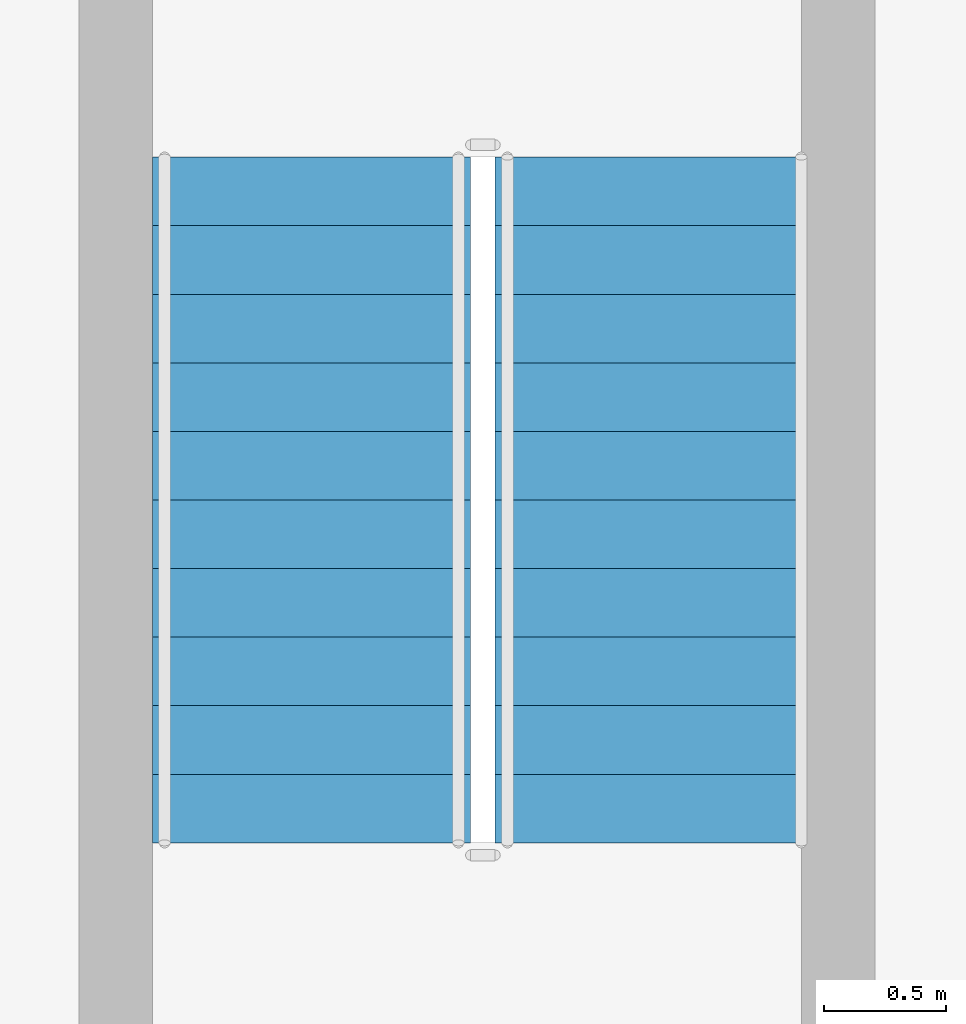
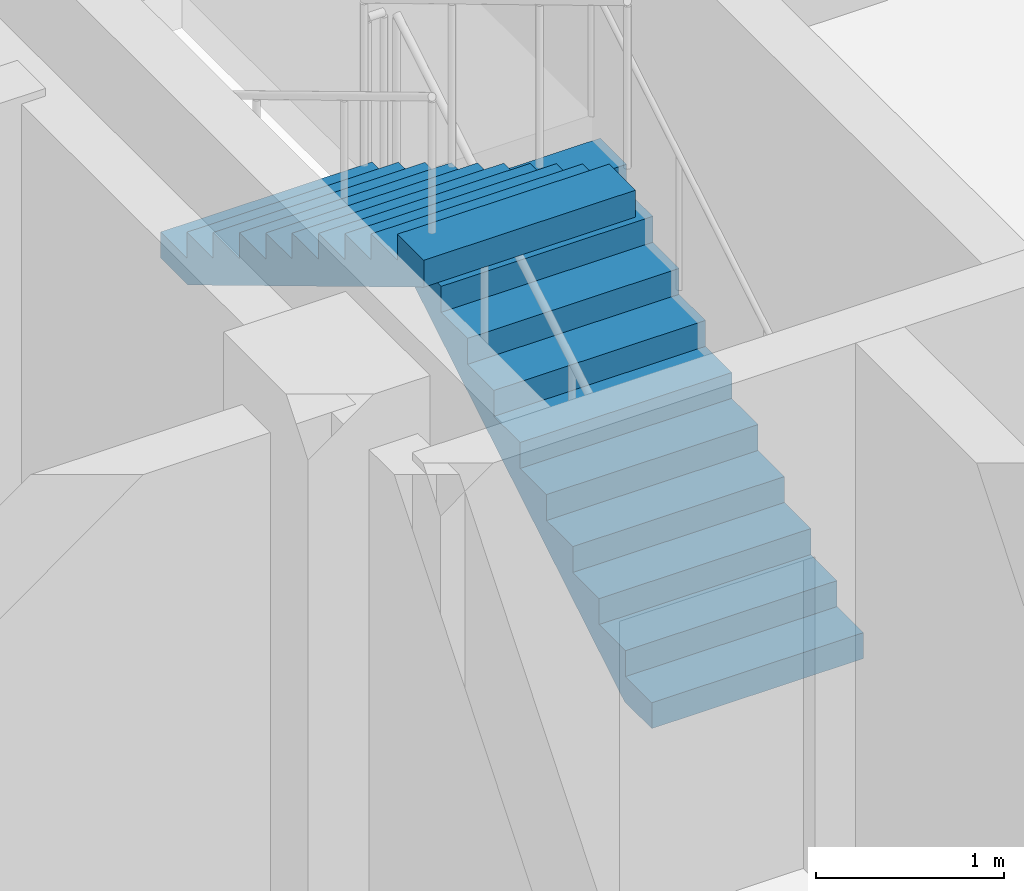
# One storey, part 16 of 23: 2 stair flights, 1 element without a shape of its own.
"""IFC4 building model written with IfcOpenShell, lengths in metres."""

from ifc_helpers import new_model, si_unit, direction, frame, origin, place, context, subcontext, project, spatial, triangles, source, transform, mapped, material, type_object, element, aggregate, save


model = new_model("IFC4")

# Units and contexts
model_context = context("Model", 3, precision=1e-05, world=origin(), true_north=direction((0.0, 1.0)))
body_context = subcontext(model_context, "Body", "Model", "MODEL_VIEW")
ifc_project = project(units=[si_unit("LENGTHUNIT", "METRE"), si_unit("AREAUNIT", "SQUARE_METRE"), si_unit("VOLUMEUNIT", "CUBIC_METRE"), si_unit("PLANEANGLEUNIT", "RADIAN"), si_unit("MASSUNIT", "GRAM", prefix="KILO")], contexts=[model_context])

# Site, building, storey
site_placement = place(None, origin())
site = spatial("IfcSite", under=ifc_project, at=site_placement, CompositionType="ELEMENT")
building_placement = place(site_placement, origin())
building = spatial("IfcBuilding", under=site, at=building_placement, Name="Ogive Portal Towers", CompositionType="ELEMENT")
storey_placement = place(building_placement, frame((0.0, 0.0, 149.60009765625)))
storey = spatial("IfcBuildingStorey", under=building, at=storey_placement, Name="L36", CompositionType="ELEMENT", Elevation=149.60009765625)

# Stair, stair flights
ifc_material = material(Name="Concrete C40/50", Category="concrete")
stair_type = type_object("IfcStairType", Name="INT-STAIR", PredefinedType="HALF_TURN_STAIR", material=ifc_material)
stair_placement = place(storey_placement, origin())
stair = element("IfcStair", 1, at=stair_placement, inside=storey, type_object=stair_type, Name="L36 Exit Stair ST-A3", PredefinedType="HALF_TURN_STAIR")
stair_flight_type = type_object("IfcStairFlightType", Name="INT-FLIGHT", PredefinedType="STRAIGHT", material=ifc_material)
shared_shape = source(origin(), body_context, "Body", "Tessellation", [
    triangles([(0.0, -0.650146484375, 0.0), (0.0, -0.376220703125, 0.0), (0.0, -0.192626953125, 0.0), (0.0, -0.081298828125, 0.0), (0.0, -0.024169921875, 0.0), (0.0, -0.003173828125, 0.0), (0.0, 0.0, 0.0), (0.0, 0.0029296875, 0.0), (0.0, 0.02392578125, 0.0), (0.0, 0.0810546875, 0.0), (0.0, 0.1923828125, 0.0), (0.0, 0.3759765625, 0.0), (0.0, 0.64990234375, 0.0), (0.0, -0.650146484375, 0.168212890625), (0.0, -0.376220703125, 0.168212890625), (0.0, -0.192626953125, 0.168212890625), (0.0, -0.081298828125, 0.168212890625), (0.0, -0.024169921875, 0.168212890625), (0.0, -0.003173828125, 0.168212890625), (0.0, 0.0, 0.168212890625), (0.0, 0.0029296875, 0.168212890625), (0.0, 0.02392578125, 0.168212890625), (0.0, 0.0810546875, 0.168212890625), (0.0, 0.1923828125, 0.168212890625), (0.0, 0.3759765625, 0.168212890625), (0.0, 0.64990234375, 0.168212890625), (0.280029296875, -0.650146484375, 0.168212890625), (0.280029296875, -0.376220703125, 0.168212890625), (0.280029296875, -0.192626953125, 0.168212890625), (0.280029296875, -0.081298828125, 0.168212890625), (0.280029296875, -0.024169921875, 0.168212890625), (0.280029296875, -0.003173828125, 0.168212890625), (0.280029296875, 0.0, 0.168212890625), (0.280029296875, 0.0029296875, 0.168212890625), (0.280029296875, 0.02392578125, 0.168212890625), (0.280029296875, 0.0810546875, 0.168212890625), (0.280029296875, 0.1923828125, 0.168212890625), (0.280029296875, 0.3759765625, 0.168212890625), (0.280029296875, 0.64990234375, 0.168212890625), (0.280029296875, -0.650146484375, 0.33642578125), (0.280029296875, -0.376220703125, 0.33642578125), (0.280029296875, -0.192626953125, 0.33642578125), (0.280029296875, -0.081298828125, 0.33642578125), (0.280029296875, -0.024169921875, 0.33642578125), (0.280029296875, -0.003173828125, 0.33642578125), (0.280029296875, 0.0, 0.33642578125), (0.280029296875, 0.0029296875, 0.33642578125), (0.280029296875, 0.02392578125, 0.33642578125), (0.280029296875, 0.0810546875, 0.33642578125), (0.280029296875, 0.1923828125, 0.33642578125), (0.280029296875, 0.3759765625, 0.33642578125), (0.280029296875, 0.64990234375, 0.33642578125), (0.56005859375, -0.650146484375, 0.33642578125), (0.56005859375, -0.376220703125, 0.33642578125), (0.56005859375, -0.192626953125, 0.33642578125), (0.56005859375, -0.081298828125, 0.33642578125), (0.56005859375, -0.024169921875, 0.33642578125), (0.56005859375, -0.003173828125, 0.33642578125), (0.56005859375, 0.0, 0.33642578125), (0.56005859375, 0.0029296875, 0.33642578125), (0.56005859375, 0.02392578125, 0.33642578125), (0.56005859375, 0.0810546875, 0.33642578125), (0.56005859375, 0.1923828125, 0.33642578125), (0.56005859375, 0.3759765625, 0.33642578125), (0.56005859375, 0.64990234375, 0.33642578125), (0.56005859375, -0.650146484375, 0.504638671875), (0.56005859375, -0.376220703125, 0.504638671875), (0.56005859375, -0.192626953125, 0.504638671875), (0.56005859375, -0.081298828125, 0.504638671875), (0.56005859375, -0.024169921875, 0.504638671875), (0.56005859375, -0.003173828125, 0.504638671875), (0.56005859375, 0.0, 0.504638671875), (0.56005859375, 0.0029296875, 0.504638671875), (0.56005859375, 0.02392578125, 0.504638671875), (0.56005859375, 0.0810546875, 0.504638671875), (0.56005859375, 0.1923828125, 0.504638671875), (0.56005859375, 0.3759765625, 0.504638671875), (0.56005859375, 0.64990234375, 0.504638671875), (0.840087890625, -0.650146484375, 0.504638671875), (0.840087890625, -0.376220703125, 0.504638671875), (0.840087890625, -0.192626953125, 0.504638671875), (0.840087890625, -0.081298828125, 0.504638671875), (0.840087890625, -0.024169921875, 0.504638671875), (0.840087890625, -0.003173828125, 0.504638671875), (0.840087890625, 0.0, 0.504638671875), (0.840087890625, 0.0029296875, 0.504638671875), (0.840087890625, 0.02392578125, 0.504638671875), (0.840087890625, 0.0810546875, 0.504638671875), (0.840087890625, 0.1923828125, 0.504638671875), (0.840087890625, 0.3759765625, 0.504638671875), (0.840087890625, 0.64990234375, 0.504638671875), (0.840087890625, -0.650146484375, 0.672607421875), (0.840087890625, -0.376220703125, 0.672607421875), (0.840087890625, -0.192626953125, 0.672607421875), (0.840087890625, -0.081298828125, 0.672607421875), (0.840087890625, -0.024169921875, 0.672607421875), (0.840087890625, -0.003173828125, 0.672607421875), (0.840087890625, 0.0, 0.672607421875), (0.840087890625, 0.0029296875, 0.672607421875), (0.840087890625, 0.02392578125, 0.672607421875), (0.840087890625, 0.0810546875, 0.672607421875), (0.840087890625, 0.1923828125, 0.672607421875), (0.840087890625, 0.3759765625, 0.672607421875), (0.840087890625, 0.64990234375, 0.672607421875), (1.1201171875, -0.650146484375, 0.672607421875), (1.1201171875, -0.376220703125, 0.672607421875), (1.1201171875, -0.192626953125, 0.672607421875), (1.1201171875, -0.081298828125, 0.672607421875), (1.1201171875, -0.024169921875, 0.672607421875), (1.1201171875, -0.003173828125, 0.672607421875), (1.1201171875, 0.0, 0.672607421875), (1.1201171875, 0.0029296875, 0.672607421875), (1.1201171875, 0.02392578125, 0.672607421875), (1.1201171875, 0.0810546875, 0.672607421875), (1.1201171875, 0.1923828125, 0.672607421875), (1.1201171875, 0.3759765625, 0.672607421875), (1.1201171875, 0.64990234375, 0.672607421875), (1.1201171875, -0.650146484375, 0.8408203125), (1.1201171875, -0.376220703125, 0.8408203125), (1.1201171875, -0.192626953125, 0.8408203125), (1.1201171875, -0.081298828125, 0.8408203125), (1.1201171875, -0.024169921875, 0.8408203125), (1.1201171875, -0.003173828125, 0.8408203125), (1.1201171875, 0.0, 0.8408203125), (1.1201171875, 0.0029296875, 0.8408203125), (1.1201171875, 0.02392578125, 0.8408203125), (1.1201171875, 0.0810546875, 0.8408203125), (1.1201171875, 0.1923828125, 0.8408203125), (1.1201171875, 0.3759765625, 0.8408203125), (1.1201171875, 0.64990234375, 0.8408203125), (1.39990234375, -0.650146484375, 0.8408203125), (1.39990234375, -0.376220703125, 0.8408203125), (1.39990234375, -0.192626953125, 0.8408203125), (1.39990234375, -0.081298828125, 0.8408203125), (1.39990234375, -0.024169921875, 0.8408203125), (1.39990234375, -0.003173828125, 0.8408203125), (1.39990234375, 0.0, 0.8408203125), (1.39990234375, 0.0029296875, 0.8408203125), (1.39990234375, 0.02392578125, 0.8408203125), (1.39990234375, 0.0810546875, 0.8408203125), (1.39990234375, 0.1923828125, 0.8408203125), (1.39990234375, 0.3759765625, 0.8408203125), (1.39990234375, 0.64990234375, 0.8408203125), (1.39990234375, -0.650146484375, 1.009033203125), (1.39990234375, -0.376220703125, 1.009033203125), (1.39990234375, -0.192626953125, 1.009033203125), (1.39990234375, -0.081298828125, 1.009033203125), (1.39990234375, -0.024169921875, 1.009033203125), (1.39990234375, -0.003173828125, 1.009033203125), (1.39990234375, 0.0, 1.009033203125), (1.39990234375, 0.0029296875, 1.009033203125), (1.39990234375, 0.02392578125, 1.009033203125), (1.39990234375, 0.0810546875, 1.009033203125), (1.39990234375, 0.1923828125, 1.009033203125), (1.39990234375, 0.3759765625, 1.009033203125), (1.39990234375, 0.64990234375, 1.009033203125), (1.679931640625, -0.650146484375, 1.009033203125), (1.679931640625, -0.376220703125, 1.009033203125), (1.679931640625, -0.192626953125, 1.009033203125), (1.679931640625, -0.081298828125, 1.009033203125), (1.679931640625, -0.024169921875, 1.009033203125), (1.679931640625, -0.003173828125, 1.009033203125), (1.679931640625, 0.0, 1.009033203125), (1.679931640625, 0.0029296875, 1.009033203125), (1.679931640625, 0.02392578125, 1.009033203125), (1.679931640625, 0.0810546875, 1.009033203125), (1.679931640625, 0.1923828125, 1.009033203125), (1.679931640625, 0.3759765625, 1.009033203125), (1.679931640625, 0.64990234375, 1.009033203125), (1.679931640625, -0.650146484375, 1.17724609375), (1.679931640625, -0.376220703125, 1.17724609375), (1.679931640625, -0.192626953125, 1.17724609375), (1.679931640625, -0.081298828125, 1.17724609375), (1.679931640625, -0.024169921875, 1.17724609375), (1.679931640625, -0.003173828125, 1.17724609375), (1.679931640625, 0.0, 1.17724609375), (1.679931640625, 0.0029296875, 1.17724609375), (1.679931640625, 0.02392578125, 1.17724609375), (1.679931640625, 0.0810546875, 1.17724609375), (1.679931640625, 0.1923828125, 1.17724609375), (1.679931640625, 0.3759765625, 1.17724609375), (1.679931640625, 0.64990234375, 1.17724609375), (1.9599609375, -0.650146484375, 1.17724609375), (1.9599609375, -0.376220703125, 1.17724609375), (1.9599609375, -0.192626953125, 1.17724609375), (1.9599609375, -0.081298828125, 1.17724609375), (1.9599609375, -0.024169921875, 1.17724609375), (1.9599609375, -0.003173828125, 1.17724609375), (1.9599609375, 0.0, 1.17724609375), (1.9599609375, 0.0029296875, 1.17724609375), (1.9599609375, 0.02392578125, 1.17724609375), (1.9599609375, 0.0810546875, 1.17724609375), (1.9599609375, 0.1923828125, 1.17724609375), (1.9599609375, 0.3759765625, 1.17724609375), (1.9599609375, 0.64990234375, 1.17724609375), (1.9599609375, -0.650146484375, 1.345458984375), (1.9599609375, -0.376220703125, 1.345458984375), (1.9599609375, -0.192626953125, 1.345458984375), (1.9599609375, -0.081298828125, 1.345458984375), (1.9599609375, -0.024169921875, 1.345458984375), (1.9599609375, -0.003173828125, 1.345458984375), (1.9599609375, 0.0, 1.345458984375), (1.9599609375, 0.0029296875, 1.345458984375), (1.9599609375, 0.02392578125, 1.345458984375), (1.9599609375, 0.0810546875, 1.345458984375), (1.9599609375, 0.1923828125, 1.345458984375), (1.9599609375, 0.3759765625, 1.345458984375), (1.9599609375, 0.64990234375, 1.345458984375), (2.239990234375, -0.650146484375, 1.345458984375), (2.239990234375, -0.376220703125, 1.345458984375), (2.239990234375, -0.192626953125, 1.345458984375), (2.239990234375, -0.081298828125, 1.345458984375), (2.239990234375, -0.024169921875, 1.345458984375), (2.239990234375, -0.003173828125, 1.345458984375), (2.239990234375, 0.0, 1.345458984375), (2.239990234375, 0.0029296875, 1.345458984375), (2.239990234375, 0.02392578125, 1.345458984375), (2.239990234375, 0.0810546875, 1.345458984375), (2.239990234375, 0.1923828125, 1.345458984375), (2.239990234375, 0.3759765625, 1.345458984375), (2.239990234375, 0.64990234375, 1.345458984375), (2.239990234375, -0.650146484375, 1.513671875), (2.239990234375, -0.376220703125, 1.513671875), (2.239990234375, -0.192626953125, 1.513671875), (2.239990234375, -0.081298828125, 1.513671875), (2.239990234375, -0.024169921875, 1.513671875), (2.239990234375, -0.003173828125, 1.513671875), (2.239990234375, 0.0, 1.513671875), (2.239990234375, 0.0029296875, 1.513671875), (2.239990234375, 0.02392578125, 1.513671875), (2.239990234375, 0.0810546875, 1.513671875), (2.239990234375, 0.1923828125, 1.513671875), (2.239990234375, 0.3759765625, 1.513671875), (2.239990234375, 0.64990234375, 1.513671875), (2.52001953125, -0.650146484375, 1.513671875), (2.52001953125, -0.376220703125, 1.513671875), (2.52001953125, -0.192626953125, 1.513671875), (2.52001953125, -0.081298828125, 1.513671875), (2.52001953125, -0.024169921875, 1.513671875), (2.52001953125, -0.003173828125, 1.513671875), (2.52001953125, 0.0, 1.513671875), (2.52001953125, 0.0029296875, 1.513671875), (2.52001953125, 0.02392578125, 1.513671875), (2.52001953125, 0.0810546875, 1.513671875), (2.52001953125, 0.1923828125, 1.513671875), (2.52001953125, 0.3759765625, 1.513671875), (2.52001953125, 0.64990234375, 1.513671875), (2.52001953125, -0.650146484375, 1.681884765625), (2.52001953125, -0.376220703125, 1.681884765625), (2.52001953125, -0.192626953125, 1.681884765625), (2.52001953125, -0.081298828125, 1.681884765625), (2.52001953125, -0.024169921875, 1.681884765625), (2.52001953125, -0.003173828125, 1.681884765625), (2.52001953125, 0.0, 1.681884765625), (2.52001953125, 0.0029296875, 1.681884765625), (2.52001953125, 0.02392578125, 1.681884765625), (2.52001953125, 0.0810546875, 1.681884765625), (2.52001953125, 0.1923828125, 1.681884765625), (2.52001953125, 0.3759765625, 1.681884765625), (2.52001953125, 0.64990234375, 1.681884765625), (2.800048828125, -0.650146484375, 1.681884765625), (2.800048828125, -0.376220703125, 1.681884765625), (2.800048828125, -0.192626953125, 1.681884765625), (2.800048828125, -0.081298828125, 1.681884765625), (2.800048828125, -0.024169921875, 1.681884765625), (2.800048828125, -0.003173828125, 1.681884765625), (2.800048828125, 0.0, 1.681884765625), (2.800048828125, 0.0029296875, 1.681884765625), (2.800048828125, 0.02392578125, 1.681884765625), (2.800048828125, 0.0810546875, 1.681884765625), (2.800048828125, 0.1923828125, 1.681884765625), (2.800048828125, 0.3759765625, 1.681884765625), (2.800048828125, 0.64990234375, 1.681884765625), (2.800048828125, -0.650146484375, 1.5068359375), (2.800048828125, -0.376220703125, 1.5068359375), (2.800048828125, -0.192626953125, 1.5068359375), (2.800048828125, -0.081298828125, 1.5068359375), (2.800048828125, -0.024169921875, 1.5068359375), (2.800048828125, -0.003173828125, 1.5068359375), (2.800048828125, 0.0, 1.5068359375), (2.800048828125, 0.0029296875, 1.5068359375), (2.800048828125, 0.02392578125, 1.5068359375), (2.800048828125, 0.0810546875, 1.5068359375), (2.800048828125, 0.1923828125, 1.5068359375), (2.800048828125, 0.3759765625, 1.5068359375), (2.800048828125, 0.64990234375, 1.5068359375), (0.291015625, -0.650146484375, 0.0), (0.291015625, -0.376220703125, 0.0), (0.291015625, -0.192626953125, 0.0), (0.291015625, -0.081298828125, 0.0), (0.291015625, -0.024169921875, 0.0), (0.291015625, -0.003173828125, 0.0), (0.291015625, 0.0, 0.0), (0.291015625, 0.0029296875, 0.0), (0.291015625, 0.02392578125, 0.0), (0.291015625, 0.0810546875, 0.0), (0.291015625, 0.1923828125, 0.0), (0.291015625, 0.3759765625, 0.0), (0.291015625, 0.64990234375, 0.0)], [[1, 14, 15], [1, 15, 2], [2, 15, 16], [2, 16, 3], [3, 16, 17], [3, 17, 4], [4, 17, 18], [4, 18, 5], [5, 18, 19], [5, 19, 6], [6, 19, 20], [6, 20, 7], [7, 20, 21], [7, 21, 8], [8, 21, 22], [8, 22, 9], [9, 22, 23], [9, 23, 10], [10, 23, 24], [10, 24, 11], [11, 24, 25], [11, 25, 12], [12, 25, 26], [12, 26, 13], [14, 27, 28], [14, 28, 15], [15, 28, 29], [15, 29, 16], [16, 29, 30], [16, 30, 17], [17, 30, 31], [17, 31, 18], [18, 31, 32], [18, 32, 19], [19, 32, 33], [19, 33, 20], [20, 33, 34], [20, 34, 21], [21, 34, 35], [21, 35, 22], [22, 35, 36], [22, 36, 23], [23, 36, 37], [23, 37, 24], [24, 37, 38], [24, 38, 25], [25, 38, 39], [25, 39, 26], [27, 40, 41], [27, 41, 28], [28, 41, 42], [28, 42, 29], [29, 42, 43], [29, 43, 30], [30, 43, 44], [30, 44, 31], [31, 44, 45], [31, 45, 32], [32, 45, 46], [32, 46, 33], [33, 46, 47], [33, 47, 34], [34, 47, 48], [34, 48, 35], [35, 48, 49], [35, 49, 36], [36, 49, 50], [36, 50, 37], [37, 50, 51], [37, 51, 38], [38, 51, 52], [38, 52, 39], [40, 53, 54], [40, 54, 41], [41, 54, 55], [41, 55, 42], [42, 55, 56], [42, 56, 43], [43, 56, 57], [43, 57, 44], [44, 57, 58], [44, 58, 45], [45, 58, 59], [45, 59, 46], [46, 59, 60], [46, 60, 47], [47, 60, 61], [47, 61, 48], [48, 61, 62], [48, 62, 49], [49, 62, 63], [49, 63, 50], [50, 63, 64], [50, 64, 51], [51, 64, 65], [51, 65, 52], [53, 66, 67], [53, 67, 54], [54, 67, 68], [54, 68, 55], [55, 68, 69], [55, 69, 56], [56, 69, 70], [56, 70, 57], [57, 70, 71], [57, 71, 58], [58, 71, 72], [58, 72, 59], [59, 72, 73], [59, 73, 60], [60, 73, 74], [60, 74, 61], [61, 74, 75], [61, 75, 62], [62, 75, 76], [62, 76, 63], [63, 76, 77], [63, 77, 64], [64, 77, 78], [64, 78, 65], [66, 79, 80], [66, 80, 67], [67, 80, 81], [67, 81, 68], [68, 81, 82], [68, 82, 69], [69, 82, 83], [69, 83, 70], [70, 83, 84], [70, 84, 71], [71, 84, 85], [71, 85, 72], [72, 85, 86], [72, 86, 73], [73, 86, 87], [73, 87, 74], [74, 87, 88], [74, 88, 75], [75, 88, 89], [75, 89, 76], [76, 89, 90], [76, 90, 77], [77, 90, 91], [77, 91, 78], [79, 92, 93], [79, 93, 80], [80, 93, 94], [80, 94, 81], [81, 94, 95], [81, 95, 82], [82, 95, 96], [82, 96, 83], [83, 96, 97], [83, 97, 84], [84, 97, 98], [84, 98, 85], [85, 98, 99], [85, 99, 86], [86, 99, 100], [86, 100, 87], [87, 100, 101], [87, 101, 88], [88, 101, 102], [88, 102, 89], [89, 102, 103], [89, 103, 90], [90, 103, 104], [90, 104, 91], [92, 105, 106], [92, 106, 93], [93, 106, 107], [93, 107, 94], [94, 107, 108], [94, 108, 95], [95, 108, 109], [95, 109, 96], [96, 109, 110], [96, 110, 97], [97, 110, 111], [97, 111, 98], [98, 111, 112], [98, 112, 99], [99, 112, 113], [99, 113, 100], [100, 113, 114], [100, 114, 101], [101, 114, 115], [101, 115, 102], [102, 115, 116], [102, 116, 103], [103, 116, 117], [103, 117, 104], [105, 118, 119], [105, 119, 106], [106, 119, 120], [106, 120, 107], [107, 120, 121], [107, 121, 108], [108, 121, 122], [108, 122, 109], [109, 122, 123], [109, 123, 110], [110, 123, 124], [110, 124, 111], [111, 124, 125], [111, 125, 112], [112, 125, 126], [112, 126, 113], [113, 126, 127], [113, 127, 114], [114, 127, 128], [114, 128, 115], [115, 128, 129], [115, 129, 116], [116, 129, 130], [116, 130, 117], [118, 131, 132], [118, 132, 119], [119, 132, 133], [119, 133, 120], [120, 133, 134], [120, 134, 121], [121, 134, 135], [121, 135, 122], [122, 135, 136], [122, 136, 123], [123, 136, 137], [123, 137, 124], [124, 137, 138], [124, 138, 125], [125, 138, 139], [125, 139, 126], [126, 139, 140], [126, 140, 127], [127, 140, 141], [127, 141, 128], [128, 141, 142], [128, 142, 129], [129, 142, 143], [129, 143, 130], [131, 144, 145], [131, 145, 132], [132, 145, 146], [132, 146, 133], [133, 146, 147], [133, 147, 134], [134, 147, 148], [134, 148, 135], [135, 148, 149], [135, 149, 136], [136, 149, 150], [136, 150, 137], [137, 150, 151], [137, 151, 138], [138, 151, 152], [138, 152, 139], [139, 152, 153], [139, 153, 140], [140, 153, 154], [140, 154, 141], [141, 154, 155], [141, 155, 142], [142, 155, 156], [142, 156, 143], [144, 157, 158], [144, 158, 145], [145, 158, 159], [145, 159, 146], [146, 159, 160], [146, 160, 147], [147, 160, 161], [147, 161, 148], [148, 161, 162], [148, 162, 149], [149, 162, 163], [149, 163, 150], [150, 163, 164], [150, 164, 151], [151, 164, 165], [151, 165, 152], [152, 165, 166], [152, 166, 153], [153, 166, 167], [153, 167, 154], [154, 167, 168], [154, 168, 155], [155, 168, 169], [155, 169, 156], [157, 170, 171], [157, 171, 158], [158, 171, 172], [158, 172, 159], [159, 172, 173], [159, 173, 160], [160, 173, 174], [160, 174, 161], [161, 174, 175], [161, 175, 162], [162, 175, 176], [162, 176, 163], [163, 176, 177], [163, 177, 164], [164, 177, 178], [164, 178, 165], [165, 178, 179], [165, 179, 166], [166, 179, 180], [166, 180, 167], [167, 180, 181], [167, 181, 168], [168, 181, 182], [168, 182, 169], [170, 183, 184], [170, 184, 171], [171, 184, 185], [171, 185, 172], [172, 185, 186], [172, 186, 173], [173, 186, 187], [173, 187, 174], [174, 187, 188], [174, 188, 175], [175, 188, 189], [175, 189, 176], [176, 189, 190], [176, 190, 177], [177, 190, 191], [177, 191, 178], [178, 191, 192], [178, 192, 179], [179, 192, 193], [179, 193, 180], [180, 193, 194], [180, 194, 181], [181, 194, 195], [181, 195, 182], [183, 196, 197], [183, 197, 184], [184, 197, 198], [184, 198, 185], [185, 198, 199], [185, 199, 186], [186, 199, 200], [186, 200, 187], [187, 200, 201], [187, 201, 188], [188, 201, 202], [188, 202, 189], [189, 202, 203], [189, 203, 190], [190, 203, 204], [190, 204, 191], [191, 204, 205], [191, 205, 192], [192, 205, 206], [192, 206, 193], [193, 206, 207], [193, 207, 194], [194, 207, 208], [194, 208, 195], [196, 209, 210], [196, 210, 197], [197, 210, 211], [197, 211, 198], [198, 211, 212], [198, 212, 199], [199, 212, 213], [199, 213, 200], [200, 213, 214], [200, 214, 201], [201, 214, 215], [201, 215, 202], [202, 215, 216], [202, 216, 203], [203, 216, 217], [203, 217, 204], [204, 217, 218], [204, 218, 205], [205, 218, 219], [205, 219, 206], [206, 219, 220], [206, 220, 207], [207, 220, 221], [207, 221, 208], [209, 222, 223], [209, 223, 210], [210, 223, 224], [210, 224, 211], [211, 224, 225], [211, 225, 212], [212, 225, 226], [212, 226, 213], [213, 226, 227], [213, 227, 214], [214, 227, 228], [214, 228, 215], [215, 228, 229], [215, 229, 216], [216, 229, 230], [216, 230, 217], [217, 230, 231], [217, 231, 218], [218, 231, 232], [218, 232, 219], [219, 232, 233], [219, 233, 220], [220, 233, 234], [220, 234, 221], [222, 235, 236], [222, 236, 223], [223, 236, 237], [223, 237, 224], [224, 237, 238], [224, 238, 225], [225, 238, 239], [225, 239, 226], [226, 239, 240], [226, 240, 227], [227, 240, 241], [227, 241, 228], [228, 241, 242], [228, 242, 229], [229, 242, 243], [229, 243, 230], [230, 243, 244], [230, 244, 231], [231, 244, 245], [231, 245, 232], [232, 245, 246], [232, 246, 233], [233, 246, 247], [233, 247, 234], [235, 248, 249], [235, 249, 236], [236, 249, 250], [236, 250, 237], [237, 250, 251], [237, 251, 238], [238, 251, 252], [238, 252, 239], [239, 252, 253], [239, 253, 240], [240, 253, 254], [240, 254, 241], [241, 254, 255], [241, 255, 242], [242, 255, 256], [242, 256, 243], [243, 256, 257], [243, 257, 244], [244, 257, 258], [244, 258, 245], [245, 258, 259], [245, 259, 246], [246, 259, 260], [246, 260, 247], [248, 261, 262], [248, 262, 249], [249, 262, 263], [249, 263, 250], [250, 263, 264], [250, 264, 251], [251, 264, 265], [251, 265, 252], [252, 265, 266], [252, 266, 253], [253, 266, 267], [253, 267, 254], [254, 267, 268], [254, 268, 255], [255, 268, 269], [255, 269, 256], [256, 269, 270], [256, 270, 257], [257, 270, 271], [257, 271, 258], [258, 271, 272], [258, 272, 259], [259, 272, 273], [259, 273, 260], [261, 274, 275], [261, 275, 262], [262, 275, 276], [262, 276, 263], [263, 276, 277], [263, 277, 264], [264, 277, 278], [264, 278, 265], [265, 278, 279], [265, 279, 266], [266, 279, 280], [266, 280, 267], [267, 280, 281], [267, 281, 268], [268, 281, 282], [268, 282, 269], [269, 282, 283], [269, 283, 270], [270, 283, 284], [270, 284, 271], [271, 284, 285], [271, 285, 272], [272, 285, 286], [272, 286, 273], [274, 287, 288], [274, 288, 275], [275, 288, 289], [275, 289, 276], [276, 289, 290], [276, 290, 277], [277, 290, 291], [277, 291, 278], [278, 291, 292], [278, 292, 279], [279, 292, 293], [279, 293, 280], [280, 293, 294], [280, 294, 281], [281, 294, 295], [281, 295, 282], [282, 295, 296], [282, 296, 283], [283, 296, 297], [283, 297, 284], [284, 297, 298], [284, 298, 285], [285, 298, 299], [285, 299, 286], [287, 1, 2], [287, 2, 288], [288, 2, 3], [288, 3, 289], [289, 3, 4], [289, 4, 290], [290, 4, 5], [290, 5, 291], [291, 5, 6], [291, 6, 292], [292, 6, 7], [292, 7, 293], [293, 7, 8], [293, 8, 294], [294, 8, 9], [294, 9, 295], [295, 9, 10], [295, 10, 296], [296, 10, 11], [296, 11, 297], [297, 11, 12], [297, 12, 298], [298, 12, 13], [298, 13, 299], [1, 287, 274], [13, 286, 299], [274, 261, 248], [286, 260, 273], [274, 248, 235], [286, 247, 260], [274, 235, 222], [286, 234, 247], [274, 222, 209], [286, 221, 234], [209, 196, 183], [221, 195, 208], [274, 209, 183], [286, 195, 221], [183, 170, 157], [195, 169, 182], [274, 183, 157], [286, 169, 195], [157, 144, 131], [169, 143, 156], [274, 157, 131], [286, 143, 169], [131, 118, 105], [143, 117, 130], [274, 131, 105], [286, 117, 143], [1, 274, 105], [13, 117, 286], [105, 92, 79], [117, 91, 104], [79, 66, 53], [91, 65, 78], [105, 79, 53], [117, 65, 91], [53, 40, 27], [65, 39, 52], [105, 53, 27], [117, 39, 65], [1, 105, 27], [13, 39, 117], [27, 14, 1], [39, 13, 26]], closed=True),
])
stair_flight_1_placement = place(storey_placement, frame((43.550048828125, 67.199951171875, 0.0), z_axis=(0.0, 0.0, 1.0), x_axis=(0.0, 1.0, 0.0)))
stair_flight_1 = element("IfcStairFlight", 2, at=stair_flight_1_placement, type_object=stair_flight_type, Name="ST-A3 flight 1", NumberOfRisers=11, NumberOfTreads=10, PredefinedType="STRAIGHT", RiserHeight=0.168181818, TreadLength=0.28, context=body_context, shape_type="MappedRepresentation", body=[
    mapped(shared_shape, transform((0.0, 0.0, 0.0), scale=1.0)),
])
stair_flight_2_placement = place(storey_placement, frame((42.14990234375, 70.0, 1.849853515625), z_axis=(0.0, 0.0, 1.0), x_axis=(0.0, -1.0, 0.0)))
stair_flight_2 = element("IfcStairFlight", 3, at=stair_flight_2_placement, type_object=stair_flight_type, Name="ST-A3 flight 2", NumberOfRisers=11, NumberOfTreads=10, PredefinedType="STRAIGHT", RiserHeight=0.168181818, TreadLength=0.28, context=body_context, shape_type="MappedRepresentation", body=[
    mapped(shared_shape, transform((0.0, 0.0, 0.0), scale=1.0)),
])
aggregate(stair, [stair_flight_1, stair_flight_2])

save(model, "model.ifc")
